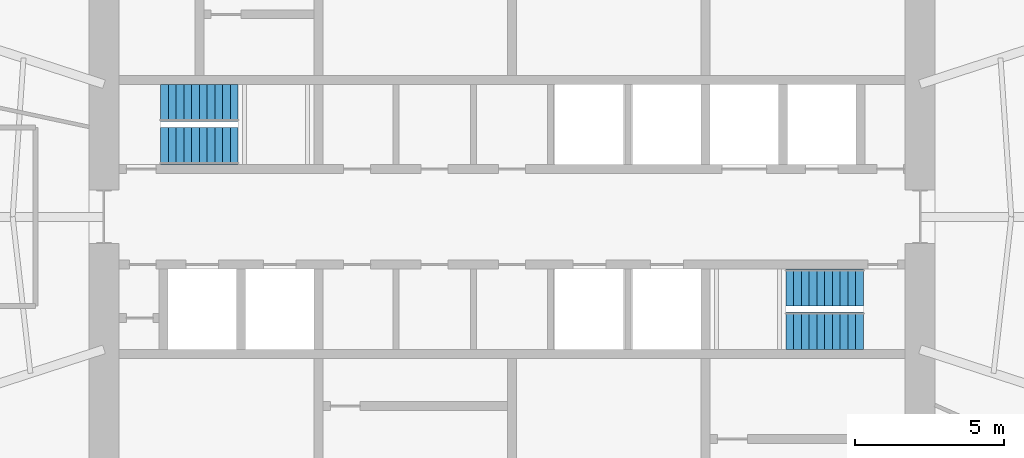
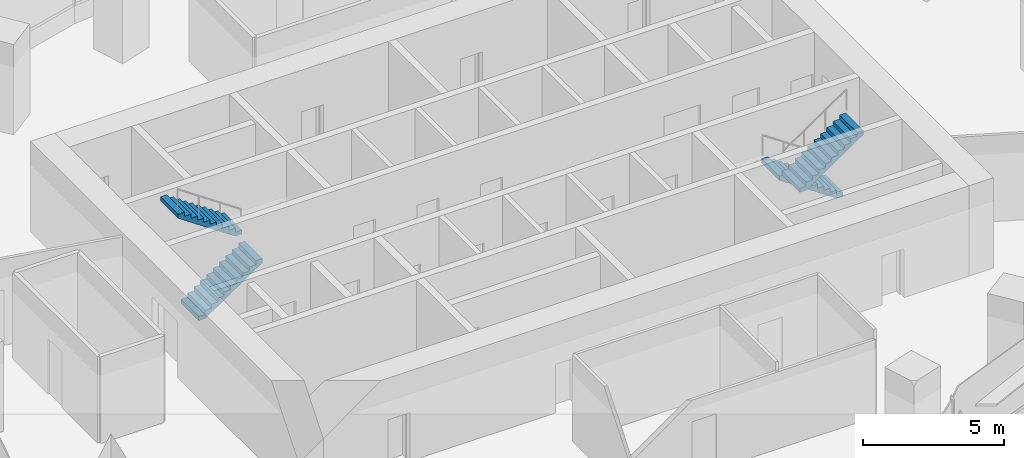
# One storey, part 12 of 14: 4 stair flights, 2 elements without a shape of their own.
"""IFC4 building model written with IfcOpenShell, lengths in metres."""

import ifcopenshell
import ifcopenshell.guid

model = None  # the IFC model being written
_history = None  # IfcOwnerHistory: only IFC2X3 demands one
_inside = {}  # id of a spatial element -> (the spatial element, [elements in it])
_under = {}  # id of a project, library or spatial element -> (it, [spatial elements below it])
_declared = {}  # id of a project -> (the project, [libraries it declares])
_typed = {}  # id of a type object -> (the type object, [elements of that type])
_made_of = {}  # id of a material, layer set ... -> (it, [elements and type objects made of it])


def new_model(schema):
    """Start an empty IFC model of exactly this schema.

    Asked for "IFC4X3", IfcOpenShell would pick the latest addendum, in which some entities
    have other attributes; the version numbers below select the first issue.
    IFC2X3 requires an IfcOwnerHistory on every rooted entity: one is made here for all.
    """
    global model, _history
    if schema == "IFC4X3":
        model = ifcopenshell.file(schema_version=(4, 3, 0, 0))
    else:
        model = ifcopenshell.file(schema=schema)
    _inside.clear()
    _under.clear()
    _declared.clear()
    _typed.clear()
    _made_of.clear()
    _history = None
    if model.schema == "IFC2X3":
        org = make("IfcOrganization", Name="unknown")
        user = make(
            "IfcPersonAndOrganization",
            ThePerson=make("IfcPerson", FamilyName="unknown"),
            TheOrganization=org,
        )
        app = make(
            "IfcApplication",
            ApplicationDeveloper=org,
            Version="unknown",
            ApplicationFullName="unknown",
            ApplicationIdentifier="unknown",
        )
        _history = make(
            "IfcOwnerHistory",
            OwningUser=user,
            OwningApplication=app,
            ChangeAction="ADDED",
            CreationDate=0,
        )
    return model


def make(cls, **values):
    """One entity of the class cls with the attributes given. An attribute that is None is left unset."""
    return model.create_entity(
        cls, **{name: value for name, value in values.items() if value is not None}
    )


def rooted(cls, **values):
    """An entity with a GlobalId (a new one), such as an element, a storey or a relation."""
    return make(cls, GlobalId=ifcopenshell.guid.new(), OwnerHistory=_history, **values)


def si_unit(unit_type, name, prefix=None):
    """IfcSIUnit, for example si_unit("LENGTHUNIT", "METRE", prefix="MILLI")."""
    return make("IfcSIUnit", UnitType=unit_type, Prefix=prefix, Name=name)


def assignment(units):
    """IfcUnitAssignment: the units of a project."""
    return None if units is None else make("IfcUnitAssignment", Units=units)


def point(xyz):
    """IfcCartesianPoint."""
    return None if xyz is None else make("IfcCartesianPoint", Coordinates=xyz)


def direction(xyz):
    """IfcDirection."""
    return None if xyz is None else make("IfcDirection", DirectionRatios=xyz)


def frame(location, z_axis=None, x_axis=None):
    """IfcAxis2Placement3D, a coordinate frame: its origin and axes. An axis left out is left unset."""
    return make(
        "IfcAxis2Placement3D",
        Location=point(location),
        Axis=direction(z_axis),
        RefDirection=direction(x_axis),
    )


def origin():
    """The frame at (0, 0, 0) with its axes left unset."""
    return frame((0.0, 0.0, 0.0))


def place(relative_to, where):
    """IfcLocalPlacement: puts the frame where relative to a parent placement (None: the world)."""
    return make(
        "IfcLocalPlacement", PlacementRelTo=relative_to, RelativePlacement=where
    )


def context(
    kind, dimensions, precision=None, world=None, true_north=None, identifier=None
):
    """IfcGeometricRepresentationContext, for example the 3D "Model" context."""
    return make(
        "IfcGeometricRepresentationContext",
        ContextIdentifier=identifier,
        ContextType=kind,
        CoordinateSpaceDimension=dimensions,
        Precision=precision,
        WorldCoordinateSystem=world,
        TrueNorth=true_north,
    )


def subcontext(parent, identifier, kind, view, scale=None):
    """IfcGeometricRepresentationSubContext, for example "Body" below "Model"."""
    return make(
        "IfcGeometricRepresentationSubContext",
        ContextIdentifier=identifier,
        ContextType=kind,
        ParentContext=parent,
        TargetScale=scale,
        TargetView=view,
    )


def project(units=None, contexts=None):
    """IfcProject with its units and contexts."""
    return rooted(
        "IfcProject",
        Name="project",
        RepresentationContexts=contexts,
        UnitsInContext=assignment(units),
    )


def spatial(cls, under=None, at=None, **own):
    """A site, building, storey or space (cls), placed at a placement, below another one or the project."""
    s = rooted(cls, ObjectPlacement=at, **own)
    if under is not None:
        _under.setdefault(under.id(), (under, []))[1].append(s)
    return s


def polyline(points):
    """IfcPolyline through the points."""
    return make("IfcPolyline", Points=[point(p) for p in points])


def outline(outer, holes=None, kind="AREA"):
    """IfcArbitraryClosedProfileDef: a profile drawn as a closed curve; with holes, ...WithVoids."""
    if holes is None:
        return make("IfcArbitraryClosedProfileDef", ProfileType=kind, OuterCurve=outer)
    return make(
        "IfcArbitraryProfileDefWithVoids",
        ProfileType=kind,
        OuterCurve=outer,
        InnerCurves=holes,
    )


def extrude(swept, where, along, depth):
    """IfcExtrudedAreaSolid: the profile swept, set in the frame where, extruded along a direction by depth."""
    return make(
        "IfcExtrudedAreaSolid",
        SweptArea=swept,
        Position=where,
        ExtrudedDirection=direction(along),
        Depth=depth,
    )


def shape(context_of_items, identifier, shape_type, items):
    """IfcShapeRepresentation: the items that make up one representation, for example the "Body"."""
    return make(
        "IfcShapeRepresentation",
        ContextOfItems=context_of_items,
        RepresentationIdentifier=identifier,
        RepresentationType=shape_type,
        Items=items,
    )


def material(Name=None, Category=None):
    """IfcMaterial."""
    return make("IfcMaterial", Name=Name, Category=Category)


def made_of(thing, what):
    """Note that an element or type object is made of a material, layer set ...; save() writes the relation."""
    if what is not None:
        _made_of.setdefault(what.id(), (what, []))[1].append(thing)
    return thing


def type_object(cls, material=None, **own):
    """A type object (cls), such as IfcWallType, which elements share."""
    return made_of(rooted(cls, **own), material)


def element(
    cls,
    number,
    at=None,
    inside=None,
    cuts=None,
    type_object=None,
    material=None,
    context=None,
    identifier="Body",
    shape_type=None,
    held_by="IfcProductDefinitionShape",
    body=None,
    shapes=None,
    **own,
):
    """One element of the class cls, such as IfcWall. Its Tag is "e" and its number.

    at: its placement. inside: the storey or other place that contains it. cuts: it is an
    opening in that element (IfcRelVoidsElement). A single representation is given by context,
    identifier, shape_type and body (its items); several are given by shapes. held_by: the class
    of the entity that holds the representations. save() writes the other relations.
    """
    e = rooted(cls, Tag="e%d" % number, ObjectPlacement=at, **own)
    if body is not None:
        shapes = [shape(context, identifier, shape_type, body)]
    if shapes is not None:
        e.Representation = make(held_by, Representations=shapes)
    if inside is not None:
        _inside.setdefault(inside.id(), (inside, []))[1].append(e)
    if cuts is not None:
        rooted(
            "IfcRelVoidsElement", RelatingBuildingElement=cuts, RelatedOpeningElement=e
        )
    if type_object is not None:
        _typed.setdefault(type_object.id(), (type_object, []))[1].append(e)
    return made_of(e, material)


def aggregate(whole, parts):
    """IfcRelAggregates: a whole, such as a stair, and the parts it consists of."""
    return rooted("IfcRelAggregates", RelatingObject=whole, RelatedObjects=parts)


def save(model, path):
    """Write the relations noted so far, then the file.

    IfcRelAggregates (storeys below a building ...), IfcRelContainedInSpatialStructure (elements
    in a storey), IfcRelDefinesByType, IfcRelAssociatesMaterial and IfcRelDeclares: one each for
    every whole, place, type object, material and project.
    """
    for whole, parts in _under.values():
        aggregate(whole, parts)
    for where, things in _inside.values():
        rooted(
            "IfcRelContainedInSpatialStructure",
            RelatedElements=things,
            RelatingStructure=where,
        )
    for kind, things in _typed.values():
        rooted("IfcRelDefinesByType", RelatedObjects=things, RelatingType=kind)
    for what, things in _made_of.values():
        rooted("IfcRelAssociatesMaterial", RelatedObjects=things, RelatingMaterial=what)
    for by, libraries in _declared.values():
        rooted("IfcRelDeclares", RelatingContext=by, RelatedDefinitions=libraries)
    model.write(path)


model = new_model("IFC4")

# Units and contexts
model_context = context("Model", 3, precision=1e-05, world=origin(), true_north=direction((0.0, 1.0)))
body_context = subcontext(model_context, "Body", "Model", "MODEL_VIEW")
ifc_project = project(units=[si_unit("LENGTHUNIT", "METRE"), si_unit("AREAUNIT", "SQUARE_METRE"), si_unit("VOLUMEUNIT", "CUBIC_METRE"), si_unit("PLANEANGLEUNIT", "RADIAN"), si_unit("MASSUNIT", "GRAM", prefix="KILO")], contexts=[model_context])

# Site, building, storey
site_placement = place(None, origin())
site = spatial("IfcSite", under=ifc_project, at=site_placement, CompositionType="ELEMENT")
building_placement = place(site_placement, origin())
building = spatial("IfcBuilding", under=site, at=building_placement, Name="Marramba Exchange Tower", CompositionType="ELEMENT")
storey_placement = place(building_placement, frame((0.0, 0.0, 215.0)))
storey = spatial("IfcBuildingStorey", under=building, at=storey_placement, Name="L52", CompositionType="ELEMENT", Elevation=215.0)

# Stair, stair flights
ifc_material = material(Name="Concrete N40 (40 MPa)", Category="concrete")
stair_type_1 = type_object("IfcStairType", Name="Exit stair ST1 3900 x 1250", PredefinedType="HALF_TURN_STAIR", material=ifc_material)
stair_1_placement = place(storey_placement, origin())
stair_1 = element("IfcStair", 1, at=stair_1_placement, inside=storey, type_object=stair_type_1, Name="Exit stair ST1 L52", PredefinedType="HALF_TURN_STAIR")
stair_flight_type_1 = type_object("IfcStairFlightType", Name="ST1 stair flight 1773 riser 1250 wide", PredefinedType="STRAIGHT", material=ifc_material)
stair_flight_1_placement = place(storey_placement, frame((-11.800048828125, 2.375, 0.0), z_axis=(0.0, 0.0, 1.0), x_axis=(1.0, 0.0, 0.0)))
stair_flight_1 = element("IfcStairFlight", 2, at=stair_flight_1_placement, type_object=stair_flight_type_1, Name="ST1 flight 1", NumberOfRisers=11, NumberOfTreads=10, PredefinedType="STRAIGHT", RiserHeight=0.177272727, TreadLength=0.26, context=body_context, shape_type="SweptSolid", body=[
    extrude(outline(polyline([(0.0, 0.0), (0.0, 0.17724609375), (0.260009765625, 0.17724609375), (0.260009765625, 0.3544921875), (0.52001953125, 0.3544921875), (0.52001953125, 0.53173828125), (0.780029296875, 0.53173828125), (0.780029296875, 0.708984375), (1.0400390625, 0.708984375), (1.0400390625, 0.886474609375), (1.300048828125, 0.886474609375), (1.300048828125, 1.063720703125), (1.56005859375, 1.063720703125), (1.56005859375, 1.240966796875), (1.820068359375, 1.240966796875), (1.820068359375, 1.418212890625), (2.080078125, 1.418212890625), (2.080078125, 1.595458984375), (2.340087890625, 1.595458984375), (2.340087890625, 1.772705078125), (2.60009765625, 1.772705078125), (2.60009765625, 1.949951171875), (2.60009765625, 1.59130859375), (0.26611328125, 0.0), (0.0, 0.0)])), frame((0.0, 0.625, 0.0), z_axis=(0.0, -1.0, 0.0), x_axis=(1.0, 0.0, 0.0)), (0.0, 0.0, 1.0), 1.25),
])
stair_flight_2_placement = place(storey_placement, frame((-9.199951171875, 3.824951171875, 1.949951171875), z_axis=(0.0, 0.0, 1.0), x_axis=(-1.0, 0.0, 0.0)))
stair_flight_2 = element("IfcStairFlight", 3, at=stair_flight_2_placement, type_object=stair_flight_type_1, Name="ST1 flight 2", NumberOfRisers=11, NumberOfTreads=10, PredefinedType="STRAIGHT", RiserHeight=0.177272727, TreadLength=0.26, context=body_context, shape_type="SweptSolid", body=[
    extrude(outline(polyline([(0.0, 0.0), (0.0, 0.17724609375), (0.260009765625, 0.17724609375), (0.260009765625, 0.3544921875), (0.52001953125, 0.3544921875), (0.52001953125, 0.53173828125), (0.780029296875, 0.53173828125), (0.780029296875, 0.708984375), (1.0400390625, 0.708984375), (1.0400390625, 0.886474609375), (1.300048828125, 0.886474609375), (1.300048828125, 1.063720703125), (1.56005859375, 1.063720703125), (1.56005859375, 1.240966796875), (1.820068359375, 1.240966796875), (1.820068359375, 1.418212890625), (2.080078125, 1.418212890625), (2.080078125, 1.595458984375), (2.340087890625, 1.595458984375), (2.340087890625, 1.772705078125), (2.60009765625, 1.772705078125), (2.60009765625, 1.949951171875), (2.60009765625, 1.59130859375), (0.26611328125, 0.0), (0.0, 0.0)])), frame((0.0, 0.625, 0.0), z_axis=(0.0, -1.0, 0.0), x_axis=(1.0, 0.0, 0.0)), (0.0, 0.0, 1.0), 1.25),
])
aggregate(stair_1, [stair_flight_1, stair_flight_2])

stair_type_2 = type_object("IfcStairType", Name="Exit stair ST2 3900 x 1250", PredefinedType="HALF_TURN_STAIR", material=ifc_material)
stair_2_placement = place(storey_placement, origin())
stair_2 = element("IfcStair", 4, at=stair_2_placement, inside=storey, type_object=stair_type_2, Name="Exit stair ST2 L52", PredefinedType="HALF_TURN_STAIR")
stair_flight_type_2 = type_object("IfcStairFlightType", Name="ST2 stair flight 1773 riser 1250 wide", PredefinedType="STRAIGHT", material=ifc_material)
stair_flight_3_placement = place(storey_placement, frame((11.800048828125, -2.375, 0.0), z_axis=(0.0, 0.0, 1.0), x_axis=(-1.0, 0.0, 0.0)))
stair_flight_3 = element("IfcStairFlight", 5, at=stair_flight_3_placement, type_object=stair_flight_type_2, Name="ST2 flight 1", NumberOfRisers=11, NumberOfTreads=10, PredefinedType="STRAIGHT", RiserHeight=0.177272727, TreadLength=0.26, context=body_context, shape_type="SweptSolid", body=[
    extrude(outline(polyline([(0.0, 0.0), (0.0, 0.17724609375), (0.260009765625, 0.17724609375), (0.260009765625, 0.3544921875), (0.52001953125, 0.3544921875), (0.52001953125, 0.53173828125), (0.780029296875, 0.53173828125), (0.780029296875, 0.708984375), (1.0400390625, 0.708984375), (1.0400390625, 0.886474609375), (1.300048828125, 0.886474609375), (1.300048828125, 1.063720703125), (1.56005859375, 1.063720703125), (1.56005859375, 1.240966796875), (1.820068359375, 1.240966796875), (1.820068359375, 1.418212890625), (2.080078125, 1.418212890625), (2.080078125, 1.595458984375), (2.340087890625, 1.595458984375), (2.340087890625, 1.772705078125), (2.60009765625, 1.772705078125), (2.60009765625, 1.949951171875), (2.60009765625, 1.59130859375), (0.26611328125, 0.0), (0.0, 0.0)])), frame((0.0, 0.625, 0.0), z_axis=(0.0, -1.0, 0.0), x_axis=(1.0, 0.0, 0.0)), (0.0, 0.0, 1.0), 1.25),
])
stair_flight_4_placement = place(storey_placement, frame((9.199951171875, -3.824951171875, 1.949951171875), z_axis=(0.0, 0.0, 1.0), x_axis=(1.0, 0.0, 0.0)))
stair_flight_4 = element("IfcStairFlight", 6, at=stair_flight_4_placement, type_object=stair_flight_type_2, Name="ST2 flight 2", NumberOfRisers=11, NumberOfTreads=10, PredefinedType="STRAIGHT", RiserHeight=0.177272727, TreadLength=0.26, context=body_context, shape_type="SweptSolid", body=[
    extrude(outline(polyline([(0.0, 0.0), (0.0, 0.17724609375), (0.260009765625, 0.17724609375), (0.260009765625, 0.3544921875), (0.52001953125, 0.3544921875), (0.52001953125, 0.53173828125), (0.780029296875, 0.53173828125), (0.780029296875, 0.708984375), (1.0400390625, 0.708984375), (1.0400390625, 0.886474609375), (1.300048828125, 0.886474609375), (1.300048828125, 1.063720703125), (1.56005859375, 1.063720703125), (1.56005859375, 1.240966796875), (1.820068359375, 1.240966796875), (1.820068359375, 1.418212890625), (2.080078125, 1.418212890625), (2.080078125, 1.595458984375), (2.340087890625, 1.595458984375), (2.340087890625, 1.772705078125), (2.60009765625, 1.772705078125), (2.60009765625, 1.949951171875), (2.60009765625, 1.59130859375), (0.26611328125, 0.0), (0.0, 0.0)])), frame((0.0, 0.625, 0.0), z_axis=(0.0, -1.0, 0.0), x_axis=(1.0, 0.0, 0.0)), (0.0, 0.0, 1.0), 1.25),
])
aggregate(stair_2, [stair_flight_3, stair_flight_4])

save(model, "model.ifc")
